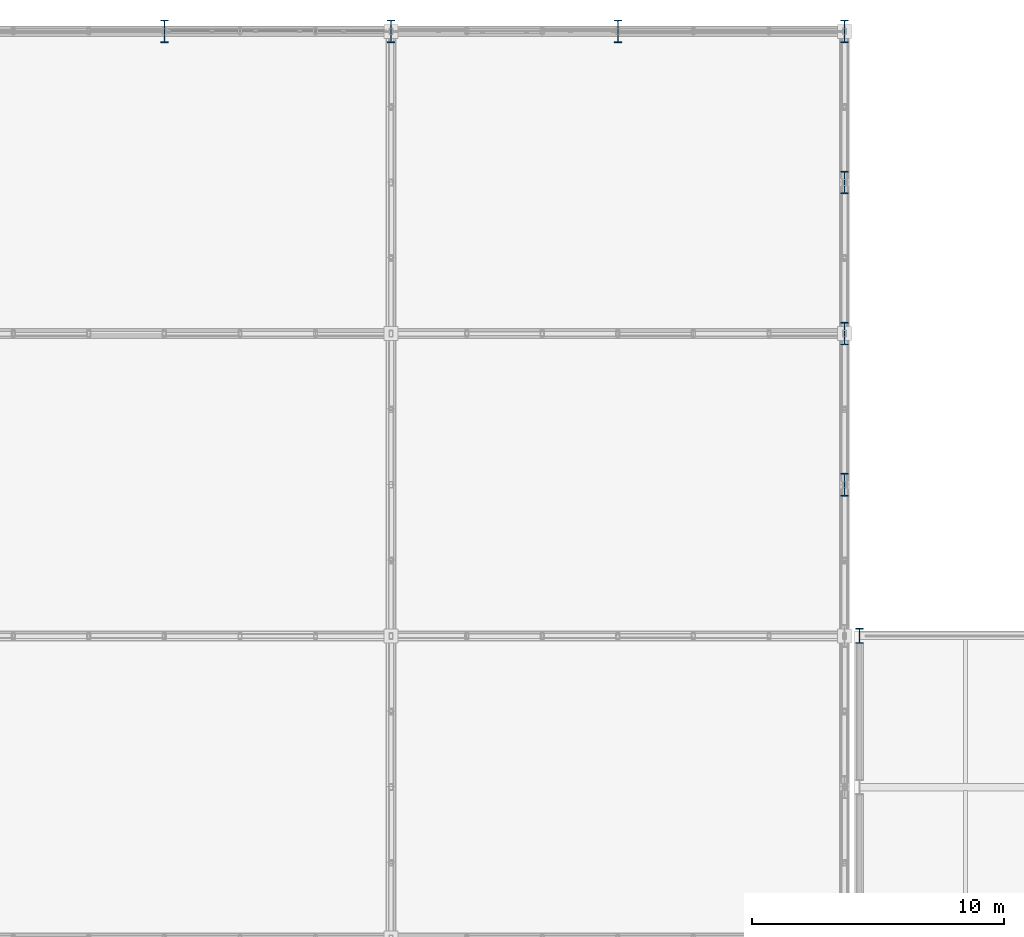
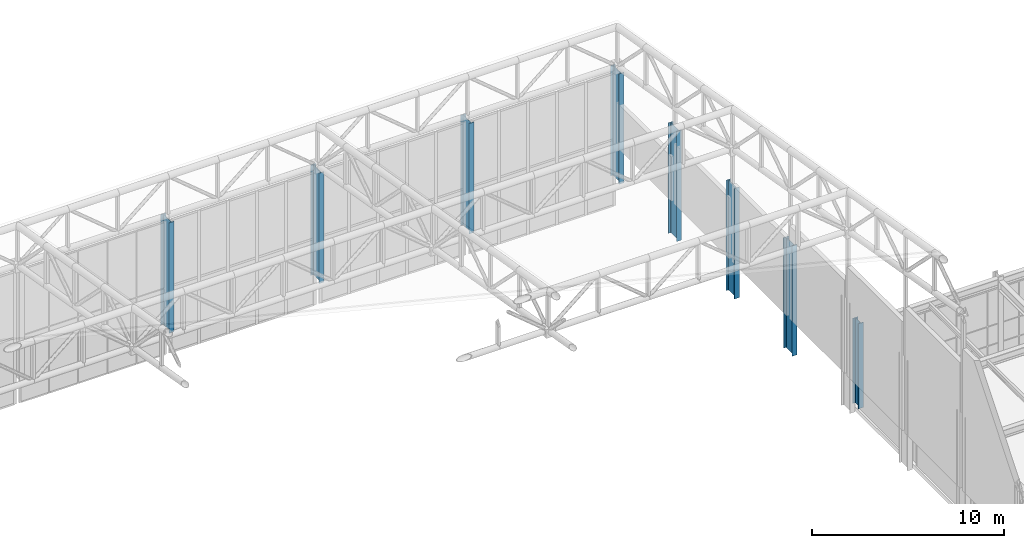
# One storey, part 15 of 239: 8 columns.
"""IFC4 building model written with IfcOpenShell, lengths in metres."""

from ifc_helpers import new_model, si_unit, direction, frame, origin, origin_2d, place, context, subcontext, project, spatial, i_section, extrude, material, material_profile, profile_set, type_object, element, save


model = new_model("IFC4")

# Units and contexts
model_context = context("Model", 3, precision=1e-05, world=origin(), true_north=direction((0.0, 1.0)))
body_context = subcontext(model_context, "Body", "Model", "MODEL_VIEW")
ifc_project = project(units=[si_unit("LENGTHUNIT", "METRE"), si_unit("AREAUNIT", "SQUARE_METRE"), si_unit("VOLUMEUNIT", "CUBIC_METRE"), si_unit("PLANEANGLEUNIT", "RADIAN"), si_unit("MASSUNIT", "GRAM", prefix="KILO")], contexts=[model_context])

# Site, building, storey
site_placement = place(None, origin())
site = spatial("IfcSite", under=ifc_project, at=site_placement, CompositionType="ELEMENT")
building_placement = place(site_placement, origin())
building = spatial("IfcBuilding", under=site, at=building_placement, Name="Kaldris Quays Convention Centre", CompositionType="ELEMENT")
storey_placement = place(building_placement, frame((0.0, 0.0, 11.39990234375)))
storey = spatial("IfcBuildingStorey", under=building, at=storey_placement, Name="L02", CompositionType="ELEMENT", Elevation=11.39990234375)

# Columns
ifc_material = material(Name="Steel S355J2", Category="steel")
ifc_material_profile_1 = material_profile(ifc_material, i_section(OverallWidth=0.300048828125, OverallDepth=0.89990234375, WebThickness=0.0185546875, FlangeThickness=0.034912109375, FilletRadius=0.030029296875, at=origin_2d()), Name="HEB 900")
ifc_profile_set_1 = profile_set([ifc_material_profile_1], Name="Steel S355J2")
column_type_1 = type_object("IfcColumnType", Name="STRUCTURAL COLUMN CL03", PredefinedType="COLUMN", material=ifc_profile_set_1)
for number, where, z_axis, x_axis, name in (
    (1, (119.0, 140.0, 0.0), (0.0, 0.0, 1.0), (1.0, 0.0, 0.0), "L02 V1 Column CL03 (119.00, 140.00)"),
    (2, (128.0, 140.0, 0.0), (0.0, 0.0, 1.0), (1.0, 0.0, 0.0), "L02 V1 Column CL03 (128.00, 140.00)"),
    (3, (137.0, 140.0, 0.0), (0.0, 0.0, 1.0), (1.0, 0.0, 0.0), "L02 V1 Column CL03 (137.00, 140.00)"),
    (4, (146.0, 122.0, 0.0), (0.0, 0.0, 1.0), (1.0, 0.0, 0.0), "L02 V1 Column CL03 (146.00, 122.00)"),
    (5, (146.0, 128.0, 0.0), (0.0, 0.0, 1.0), (1.0, 0.0, 0.0), "L02 V1 Column CL03 (146.00, 128.00)"),
    (6, (146.0, 134.0, 0.0), (0.0, 0.0, 1.0), (1.0, 0.0, 0.0), "L02 V1 Column CL03 (146.00, 134.00)"),
    (7, (146.0, 140.0, 0.0), (0.0, 0.0, 1.0), (1.0, 0.0, 0.0), "L02 V1 Column CL03 (146.00, 140.00)"),
):
    element("IfcColumn", number, at=place(storey_placement, frame(where, z_axis=z_axis, x_axis=x_axis)), inside=storey, type_object=column_type_1, Name=name, PredefinedType="COLUMN", context=body_context, shape_type="SweptSolid", body=[
        extrude(i_section(OverallWidth=0.300048828125, OverallDepth=0.89990234375, WebThickness=0.0185546875, FlangeThickness=0.034912109375, FilletRadius=0.030029296875, at=origin_2d()), origin(), (0.0, 0.0, 1.0), 7.0),
    ])
ifc_material_profile_2 = material_profile(ifc_material, i_section(OverallWidth=0.300048828125, OverallDepth=0.60009765625, WebThickness=0.015380859375, FlangeThickness=0.030029296875, FilletRadius=0.027099609375, at=origin_2d()), Name="HEB 600")
ifc_profile_set_2 = profile_set([ifc_material_profile_2], Name="Steel S355J2")
column_type_2 = type_object("IfcColumnType", Name="STRUCTURAL COLUMN CL06", PredefinedType="COLUMN", material=ifc_profile_set_2)
column_placement = place(storey_placement, frame((146.60009765625, 116.0, 0.0), z_axis=(0.0, 0.0, 1.0), x_axis=(1.0, 0.0, 0.0)))
element("IfcColumn", 8, at=column_placement, inside=storey, type_object=column_type_2, Name="L02 V4 Column CL06 (146.60, 116.00)", PredefinedType="COLUMN", context=body_context, shape_type="SweptSolid", body=[
    extrude(i_section(OverallWidth=0.300048828125, OverallDepth=0.60009765625, WebThickness=0.015380859375, FlangeThickness=0.030029296875, FilletRadius=0.027099609375, at=origin_2d()), origin(), (0.0, 0.0, 1.0), 5.400146484375),
])

save(model, "model.ifc")
